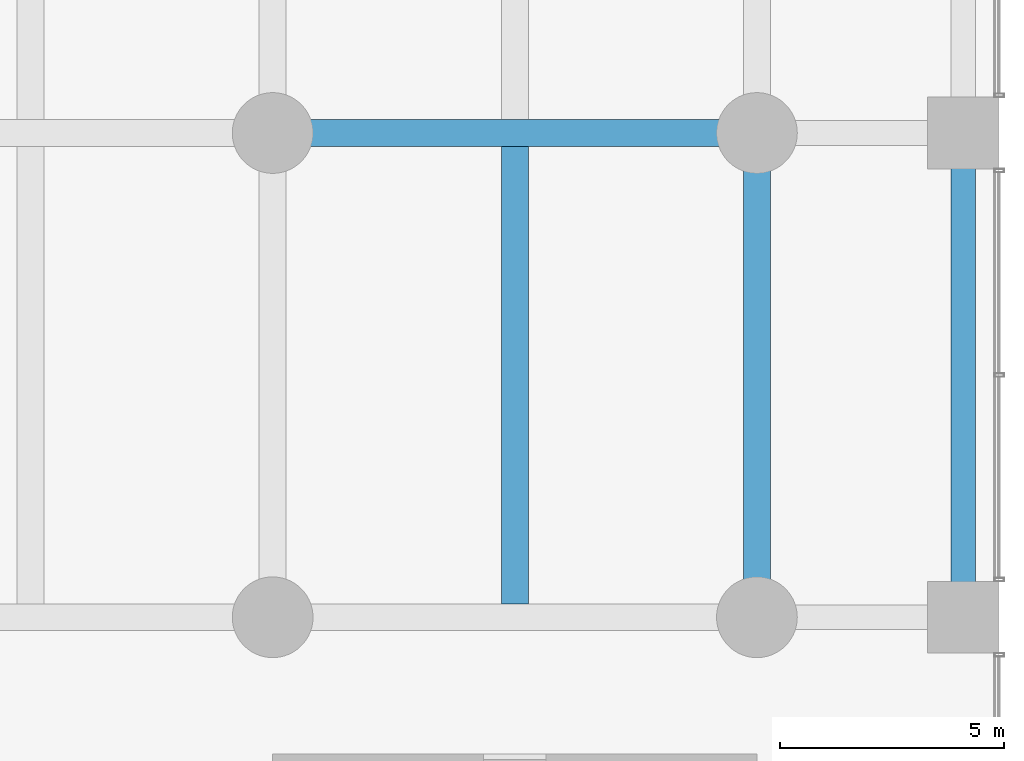
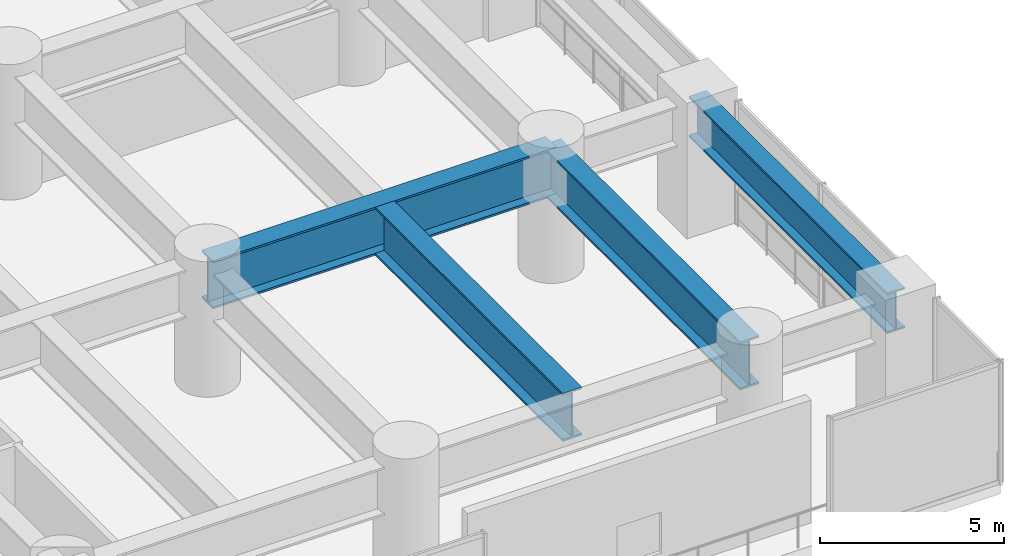
# One storey, part 19 of 37: 4 beams.
"""IFC4 building model written with IfcOpenShell, lengths in metres."""

import ifcopenshell
import ifcopenshell.guid

model = None  # the IFC model being written
_history = None  # IfcOwnerHistory: only IFC2X3 demands one
_inside = {}  # id of a spatial element -> (the spatial element, [elements in it])
_under = {}  # id of a project, library or spatial element -> (it, [spatial elements below it])
_declared = {}  # id of a project -> (the project, [libraries it declares])
_typed = {}  # id of a type object -> (the type object, [elements of that type])
_made_of = {}  # id of a material, layer set ... -> (it, [elements and type objects made of it])


def new_model(schema):
    """Start an empty IFC model of exactly this schema.

    Asked for "IFC4X3", IfcOpenShell would pick the latest addendum, in which some entities
    have other attributes; the version numbers below select the first issue.
    IFC2X3 requires an IfcOwnerHistory on every rooted entity: one is made here for all.
    """
    global model, _history
    if schema == "IFC4X3":
        model = ifcopenshell.file(schema_version=(4, 3, 0, 0))
    else:
        model = ifcopenshell.file(schema=schema)
    _inside.clear()
    _under.clear()
    _declared.clear()
    _typed.clear()
    _made_of.clear()
    _history = None
    if model.schema == "IFC2X3":
        org = make("IfcOrganization", Name="unknown")
        user = make(
            "IfcPersonAndOrganization",
            ThePerson=make("IfcPerson", FamilyName="unknown"),
            TheOrganization=org,
        )
        app = make(
            "IfcApplication",
            ApplicationDeveloper=org,
            Version="unknown",
            ApplicationFullName="unknown",
            ApplicationIdentifier="unknown",
        )
        _history = make(
            "IfcOwnerHistory",
            OwningUser=user,
            OwningApplication=app,
            ChangeAction="ADDED",
            CreationDate=0,
        )
    return model


def make(cls, **values):
    """One entity of the class cls with the attributes given. An attribute that is None is left unset."""
    return model.create_entity(
        cls, **{name: value for name, value in values.items() if value is not None}
    )


def rooted(cls, **values):
    """An entity with a GlobalId (a new one), such as an element, a storey or a relation."""
    return make(cls, GlobalId=ifcopenshell.guid.new(), OwnerHistory=_history, **values)


def si_unit(unit_type, name, prefix=None):
    """IfcSIUnit, for example si_unit("LENGTHUNIT", "METRE", prefix="MILLI")."""
    return make("IfcSIUnit", UnitType=unit_type, Prefix=prefix, Name=name)


def assignment(units):
    """IfcUnitAssignment: the units of a project."""
    return None if units is None else make("IfcUnitAssignment", Units=units)


def point(xyz):
    """IfcCartesianPoint."""
    return None if xyz is None else make("IfcCartesianPoint", Coordinates=xyz)


def direction(xyz):
    """IfcDirection."""
    return None if xyz is None else make("IfcDirection", DirectionRatios=xyz)


def frame(location, z_axis=None, x_axis=None):
    """IfcAxis2Placement3D, a coordinate frame: its origin and axes. An axis left out is left unset."""
    return make(
        "IfcAxis2Placement3D",
        Location=point(location),
        Axis=direction(z_axis),
        RefDirection=direction(x_axis),
    )


def frame_2d(location, x_axis=None):
    """IfcAxis2Placement2D, a coordinate frame in the plane: its origin and x axis."""
    return make(
        "IfcAxis2Placement2D", Location=point(location), RefDirection=direction(x_axis)
    )


def origin():
    """The frame at (0, 0, 0) with its axes left unset."""
    return frame((0.0, 0.0, 0.0))


def origin_2d():
    """The frame at (0, 0) in the plane with its x axis left unset."""
    return frame_2d((0.0, 0.0))


def place(relative_to, where):
    """IfcLocalPlacement: puts the frame where relative to a parent placement (None: the world)."""
    return make(
        "IfcLocalPlacement", PlacementRelTo=relative_to, RelativePlacement=where
    )


def context(
    kind, dimensions, precision=None, world=None, true_north=None, identifier=None
):
    """IfcGeometricRepresentationContext, for example the 3D "Model" context."""
    return make(
        "IfcGeometricRepresentationContext",
        ContextIdentifier=identifier,
        ContextType=kind,
        CoordinateSpaceDimension=dimensions,
        Precision=precision,
        WorldCoordinateSystem=world,
        TrueNorth=true_north,
    )


def subcontext(parent, identifier, kind, view, scale=None):
    """IfcGeometricRepresentationSubContext, for example "Body" below "Model"."""
    return make(
        "IfcGeometricRepresentationSubContext",
        ContextIdentifier=identifier,
        ContextType=kind,
        ParentContext=parent,
        TargetScale=scale,
        TargetView=view,
    )


def project(units=None, contexts=None):
    """IfcProject with its units and contexts."""
    return rooted(
        "IfcProject",
        Name="project",
        RepresentationContexts=contexts,
        UnitsInContext=assignment(units),
    )


def spatial(cls, under=None, at=None, **own):
    """A site, building, storey or space (cls), placed at a placement, below another one or the project."""
    s = rooted(cls, ObjectPlacement=at, **own)
    if under is not None:
        _under.setdefault(under.id(), (under, []))[1].append(s)
    return s


def profile(cls, at=None, kind="AREA", **sizes):
    """A parametric profile (cls). Its sizes go by their IFC names, for example OverallWidth=200.0."""
    return make(cls, ProfileType=kind, Position=at, **sizes)


def i_section(**sizes):
    """IfcIShapeProfileDef."""
    return profile("IfcIShapeProfileDef", **sizes)


def extrude(swept, where, along, depth):
    """IfcExtrudedAreaSolid: the profile swept, set in the frame where, extruded along a direction by depth."""
    return make(
        "IfcExtrudedAreaSolid",
        SweptArea=swept,
        Position=where,
        ExtrudedDirection=direction(along),
        Depth=depth,
    )


def shape(context_of_items, identifier, shape_type, items):
    """IfcShapeRepresentation: the items that make up one representation, for example the "Body"."""
    return make(
        "IfcShapeRepresentation",
        ContextOfItems=context_of_items,
        RepresentationIdentifier=identifier,
        RepresentationType=shape_type,
        Items=items,
    )


def material(Name=None, Category=None):
    """IfcMaterial."""
    return make("IfcMaterial", Name=Name, Category=Category)


def material_profile(
    of_material, cross_section, Name=None, Category=None, Priority=None
):
    """IfcMaterialProfile: a cross section and its material."""
    return make(
        "IfcMaterialProfile",
        Name=Name,
        Material=of_material,
        Profile=cross_section,
        Priority=Priority,
        Category=Category,
    )


def profile_set(profiles, Name=None, composite=None):
    """IfcMaterialProfileSet."""
    return make(
        "IfcMaterialProfileSet",
        Name=Name,
        MaterialProfiles=profiles,
        CompositeProfile=composite,
    )


def made_of(thing, what):
    """Note that an element or type object is made of a material, layer set ...; save() writes the relation."""
    if what is not None:
        _made_of.setdefault(what.id(), (what, []))[1].append(thing)
    return thing


def type_object(cls, material=None, **own):
    """A type object (cls), such as IfcWallType, which elements share."""
    return made_of(rooted(cls, **own), material)


def element(
    cls,
    number,
    at=None,
    inside=None,
    cuts=None,
    type_object=None,
    material=None,
    context=None,
    identifier="Body",
    shape_type=None,
    held_by="IfcProductDefinitionShape",
    body=None,
    shapes=None,
    **own,
):
    """One element of the class cls, such as IfcWall. Its Tag is "e" and its number.

    at: its placement. inside: the storey or other place that contains it. cuts: it is an
    opening in that element (IfcRelVoidsElement). A single representation is given by context,
    identifier, shape_type and body (its items); several are given by shapes. held_by: the class
    of the entity that holds the representations. save() writes the other relations.
    """
    e = rooted(cls, Tag="e%d" % number, ObjectPlacement=at, **own)
    if body is not None:
        shapes = [shape(context, identifier, shape_type, body)]
    if shapes is not None:
        e.Representation = make(held_by, Representations=shapes)
    if inside is not None:
        _inside.setdefault(inside.id(), (inside, []))[1].append(e)
    if cuts is not None:
        rooted(
            "IfcRelVoidsElement", RelatingBuildingElement=cuts, RelatedOpeningElement=e
        )
    if type_object is not None:
        _typed.setdefault(type_object.id(), (type_object, []))[1].append(e)
    return made_of(e, material)


def aggregate(whole, parts):
    """IfcRelAggregates: a whole, such as a stair, and the parts it consists of."""
    return rooted("IfcRelAggregates", RelatingObject=whole, RelatedObjects=parts)


def save(model, path):
    """Write the relations noted so far, then the file.

    IfcRelAggregates (storeys below a building ...), IfcRelContainedInSpatialStructure (elements
    in a storey), IfcRelDefinesByType, IfcRelAssociatesMaterial and IfcRelDeclares: one each for
    every whole, place, type object, material and project.
    """
    for whole, parts in _under.values():
        aggregate(whole, parts)
    for where, things in _inside.values():
        rooted(
            "IfcRelContainedInSpatialStructure",
            RelatedElements=things,
            RelatingStructure=where,
        )
    for kind, things in _typed.values():
        rooted("IfcRelDefinesByType", RelatedObjects=things, RelatingType=kind)
    for what, things in _made_of.values():
        rooted("IfcRelAssociatesMaterial", RelatedObjects=things, RelatingMaterial=what)
    for by, libraries in _declared.values():
        rooted("IfcRelDeclares", RelatingContext=by, RelatedDefinitions=libraries)
    model.write(path)


model = new_model("IFC4")

# Units and contexts
model_context = context("Model", 3, precision=1e-05, world=origin(), true_north=direction((0.0, 1.0)))
body_context = subcontext(model_context, "Body", "Model", "MODEL_VIEW")
ifc_project = project(units=[si_unit("LENGTHUNIT", "METRE"), si_unit("AREAUNIT", "SQUARE_METRE"), si_unit("VOLUMEUNIT", "CUBIC_METRE"), si_unit("PLANEANGLEUNIT", "RADIAN"), si_unit("MASSUNIT", "GRAM", prefix="KILO")], contexts=[model_context])

# Site, building, storey
site_placement = place(None, origin())
site = spatial("IfcSite", under=ifc_project, at=site_placement, CompositionType="ELEMENT")
building_placement = place(site_placement, origin())
building = spatial("IfcBuilding", under=site, at=building_placement, Name="Surkhivell Harbour Commons", CompositionType="ELEMENT")
storey_placement = place(building_placement, frame((0.0, 0.0, 18.0)))
storey = spatial("IfcBuildingStorey", under=building, at=storey_placement, Name="L04", CompositionType="ELEMENT", Elevation=18.0)

# Beams
ifc_material = material(Name="Steel S460", Category="steel")
ifc_material_profile_1 = material_profile(ifc_material, i_section(OverallWidth=0.550048828125, OverallDepth=1.35009765625, WebThickness=0.031982421875, FlangeThickness=0.06005859375, at=origin_2d()), Name="WPG1350x550x248")
ifc_profile_set_1 = profile_set([ifc_material_profile_1], Name="Steel S460")
beam_type_1 = type_object("IfcBeamType", Name="BM-TRF-1350", PredefinedType="BEAM", material=ifc_profile_set_1)
beam_1_placement = place(storey_placement, frame((37.0, -21.60009765625, 3.405029296875), z_axis=(0.0, 1.0, 0.0), x_axis=(-1.0, 0.0, 0.0)))
element("IfcBeam", 1, at=beam_1_placement, inside=storey, type_object=beam_type_1, Name="L04 Transfer Girder (37.0,-21.6)", PredefinedType="BEAM", context=body_context, shape_type="SweptSolid", body=[
    extrude(i_section(OverallWidth=0.550048828125, OverallDepth=1.35009765625, WebThickness=0.031982421875, FlangeThickness=0.06005859375, at=origin_2d()), origin(), (0.0, 0.0, 1.0), 10.800048828125),
])
ifc_material_profile_2 = material_profile(ifc_material, i_section(OverallWidth=0.60009765625, OverallDepth=1.60009765625, WebThickness=0.035888671875, FlangeThickness=0.06494140625, at=origin_2d()), Name="WPG1600x600x296")
ifc_profile_set_2 = profile_set([ifc_material_profile_2], Name="Steel S460")
beam_type_2 = type_object("IfcBeamType", Name="BM-TRF-1600", PredefinedType="BEAM", material=ifc_profile_set_2)
beam_2_placement = place(storey_placement, frame((21.60009765625, -10.800048828125, 3.280029296875), z_axis=(1.0, 0.0, 0.0), x_axis=(0.0, 1.0, 0.0)))
element("IfcBeam", 2, at=beam_2_placement, inside=storey, type_object=beam_type_2, Name="L04 Transfer Girder (21.6,-10.8)", PredefinedType="BEAM", context=body_context, shape_type="SweptSolid", body=[
    extrude(i_section(OverallWidth=0.60009765625, OverallDepth=1.60009765625, WebThickness=0.035888671875, FlangeThickness=0.06494140625, at=origin_2d()), origin(), (0.0, 0.0, 1.0), 10.7998046875),
])
beam_3_placement = place(storey_placement, frame((32.39990234375, -21.60009765625, 3.280029296875), z_axis=(0.0, 1.0, 0.0), x_axis=(-1.0, 0.0, 0.0)))
element("IfcBeam", 3, at=beam_3_placement, inside=storey, type_object=beam_type_2, Name="L04 Transfer Girder (32.4,-21.6)", PredefinedType="BEAM", context=body_context, shape_type="SweptSolid", body=[
    extrude(i_section(OverallWidth=0.60009765625, OverallDepth=1.60009765625, WebThickness=0.035888671875, FlangeThickness=0.06494140625, at=origin_2d()), origin(), (0.0, 0.0, 1.0), 10.800048828125),
])
beam_4_placement = place(storey_placement, frame((27.0, -21.302001953125, 3.280029296875), z_axis=(0.0, 1.0, 0.0), x_axis=(-1.0, 0.0, 0.0)))
element("IfcBeam", 4, at=beam_4_placement, inside=storey, type_object=beam_type_2, Name="L04 Secondary Transfer Girder (27.0,-21.6)", PredefinedType="BEAM", context=body_context, shape_type="SweptSolid", body=[
    extrude(i_section(OverallWidth=0.60009765625, OverallDepth=1.60009765625, WebThickness=0.035888671875, FlangeThickness=0.06494140625, at=origin_2d()), origin(), (0.0, 0.0, 1.0), 10.2041015625),
])

save(model, "model.ifc")
